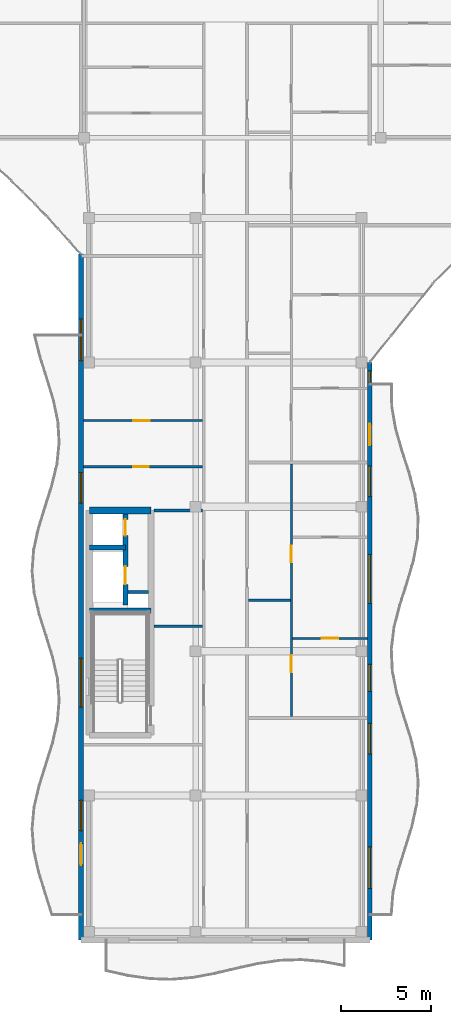
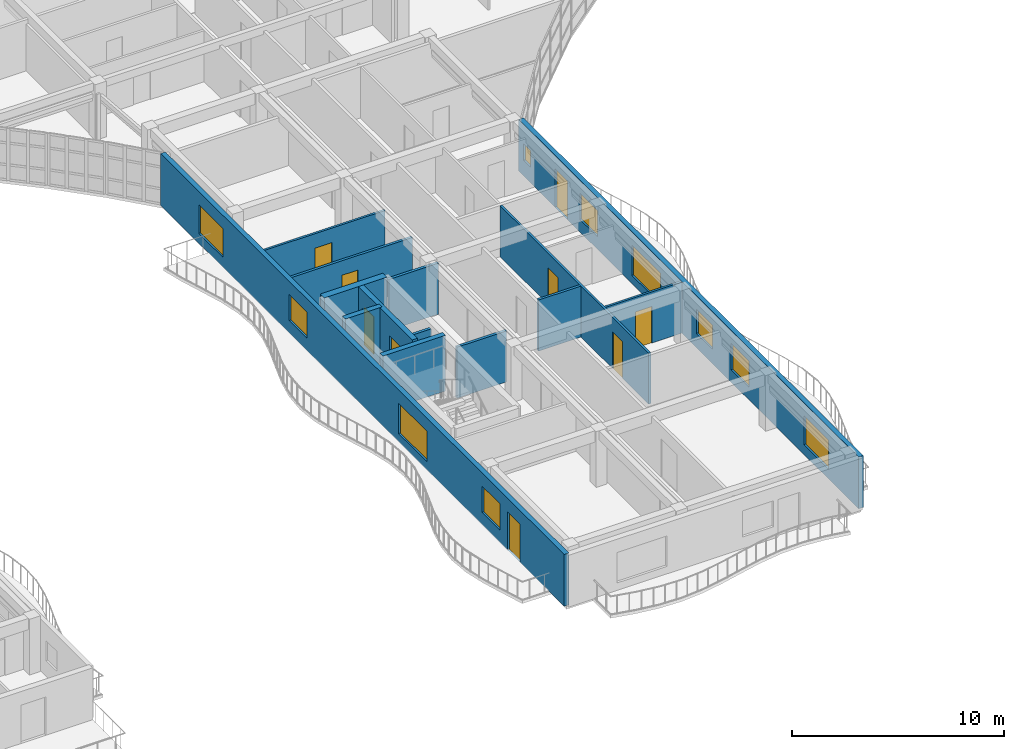
# One storey, part 31 of 72: 14 walls, 10 windows, 9 doors, 19 openings.
"""IFC4 building model written with IfcOpenShell, lengths in metres."""

from ifc_helpers import new_model, si_unit, direction, frame, frame_2d, origin, place, context, subcontext, project, spatial, rectangle, extrude, material, layer, layer_set, type_object, element, fill, save


model = new_model("IFC4")

# Units and contexts
model_context = context("Model", 3, precision=1e-05, world=origin(), true_north=direction((0.0, 1.0)))
body_context = subcontext(model_context, "Body", "Model", "MODEL_VIEW")
ifc_project = project(units=[si_unit("LENGTHUNIT", "METRE"), si_unit("AREAUNIT", "SQUARE_METRE"), si_unit("VOLUMEUNIT", "CUBIC_METRE"), si_unit("PLANEANGLEUNIT", "RADIAN"), si_unit("MASSUNIT", "GRAM", prefix="KILO")], contexts=[model_context])

# Site, building, storey
site_placement = place(None, origin())
site = spatial("IfcSite", under=ifc_project, at=site_placement, CompositionType="ELEMENT")
building_placement = place(site_placement, origin())
building = spatial("IfcBuilding", under=site, at=building_placement, Name="Keldmere Railside Commons", CompositionType="ELEMENT")
storey_placement = place(building_placement, frame((0.0, 0.0, 16.9599609375)))
storey = spatial("IfcBuildingStorey", under=building, at=storey_placement, Name="L05", CompositionType="ELEMENT", Elevation=16.9599609375)

# Wall, openings, doors
ifc_material_1 = material(Name="Acoustic Gypsum Board Partition", Category="gypsum")
ifc_layer_1 = layer(ifc_material_1, 0.1201171875, Name="Apartment Interior Partition 120")
ifc_layer_set_1 = layer_set([ifc_layer_1], Name="Acoustic Gypsum Board Partition")
wall_type_1 = type_object("IfcWallType", Name="Apartment Interior Partition 120", PredefinedType="PARTITIONING", material=ifc_layer_set_1)
wall_1_placement = place(storey_placement, frame((59.659912109375, 68.3798828125, 0.0), z_axis=(0.0, 0.0, 1.0), x_axis=(0.0, 1.0, 0.0)))
wall_1 = element("IfcWall", 1, at=wall_1_placement, inside=storey, type_object=wall_type_1, Name="IW-4 IW-L05-0696", PredefinedType="PARTITIONING", context=body_context, shape_type="SweptSolid", body=[
    extrude(rectangle(XDim=13.980224609375, YDim=0.1201171875, at=frame_2d((6.990234375, 0.0))), origin(), (0.0, 0.0, 1.0), 2.93505859375),
])
opening_1_placement = place(wall_1_placement, frame((2.443359375, 0.0, 0.0)))
opening_1 = element("IfcOpeningElement", 2, at=opening_1_placement, cuts=wall_1, Name="Opening ID-05", PredefinedType="OPENING", context=body_context, shape_type="SweptSolid", body=[
    extrude(rectangle(XDim=0.93994140625, YDim=2.10009765625, at=frame_2d((0.469970703125, 1.050048828125))), frame((0.0, 0.070068359375, 0.0), z_axis=(0.0, -1.0, 0.0), x_axis=(1.0, 0.0, 0.0)), (0.0, 0.0, 1.0), 0.14013671875),
])
opening_2_placement = place(wall_1_placement, frame((8.5439453125, 0.0, 0.0)))
opening_2 = element("IfcOpeningElement", 3, at=opening_2_placement, cuts=wall_1, Name="Opening ID-03", PredefinedType="OPENING", context=body_context, shape_type="SweptSolid", body=[
    extrude(rectangle(XDim=0.919921875, YDim=2.10009765625, at=frame_2d((0.4599609375, 1.050048828125))), frame((0.0, 0.070068359375, 0.0), z_axis=(0.0, -1.0, 0.0), x_axis=(1.0, 0.0, 0.0)), (0.0, 0.0, 1.0), 0.14013671875),
])
ifc_material_2 = material(Name="Engineered Oak Timber", Category="wood")
door_type_1 = type_object("IfcDoorType", Name="Accessible Bathroom Door 940x2100", OperationType="NOTDEFINED", PredefinedType="DOOR", material=ifc_material_2)
door_1_placement = place(opening_1_placement, origin())
door_1 = element("IfcDoor", 4, at=door_1_placement, inside=storey, type_object=door_type_1, Name="ID-05 IDR-L05-0579", OperationType="SINGLE_SWING_LEFT", OverallHeight=2.10009765625, OverallWidth=0.93994140625, PredefinedType="DOOR", context=body_context, shape_type="SweptSolid", body=[
    extrude(rectangle(XDim=0.93994140625, YDim=2.10009765625, at=frame_2d((0.469970703125, 1.050048828125))), frame((0.0, 0.02490234375, 0.0), z_axis=(0.0, -1.0, 0.0), x_axis=(1.0, 0.0, 0.0)), (0.0, 0.0, 1.0), 0.050048828125),
])
fill(opening_1, door_1)
door_type_2 = type_object("IfcDoorType", Name="Kitchen Pocket-Frame Swing Door 920x2100", OperationType="NOTDEFINED", PredefinedType="DOOR", material=ifc_material_2)
door_2_placement = place(opening_2_placement, origin())
door_2 = element("IfcDoor", 5, at=door_2_placement, inside=storey, type_object=door_type_2, Name="ID-03 IDR-L05-0580", OperationType="SINGLE_SWING_RIGHT", OverallHeight=2.10009765625, OverallWidth=0.919921875, PredefinedType="DOOR", context=body_context, shape_type="SweptSolid", body=[
    extrude(rectangle(XDim=0.919921875, YDim=2.10009765625, at=frame_2d((0.4599609375, 1.050048828125))), frame((0.0, 0.02490234375, 0.0), z_axis=(0.0, -1.0, 0.0), x_axis=(1.0, 0.0, 0.0)), (0.0, 0.0, 1.0), 0.050048828125),
])
fill(opening_2, door_2)

# Wall, opening, door
wall_2_placement = place(storey_placement, frame((59.719970703125, 72.7099609375, 0.0), z_axis=(0.0, 0.0, 1.0), x_axis=(1.0, 0.0, 0.0)))
wall_2 = element("IfcWall", 6, at=wall_2_placement, inside=storey, type_object=wall_type_1, Name="IW-4 IW-L05-0698", PredefinedType="PARTITIONING", context=body_context, shape_type="SweptSolid", body=[
    extrude(rectangle(XDim=4.150146484375, YDim=0.1201171875, at=frame_2d((2.0751953125, 0.0))), origin(), (0.0, 0.0, 1.0), 2.93505859375),
])
opening_3_placement = place(wall_2_placement, frame((1.625, 0.0, 0.0)))
opening_3 = element("IfcOpeningElement", 7, at=opening_3_placement, cuts=wall_2, Name="Opening ID-01", PredefinedType="OPENING", context=body_context, shape_type="SweptSolid", body=[
    extrude(rectangle(XDim=0.89990234375, YDim=2.10009765625, at=frame_2d((0.449951171875, 1.050048828125))), frame((0.0, 0.070068359375, 0.0), z_axis=(0.0, -1.0, 0.0), x_axis=(1.0, 0.0, 0.0)), (0.0, 0.0, 1.0), 0.14013671875),
])
door_type_3 = type_object("IfcDoorType", Name="Primary Bedroom Door 900x2100", OperationType="NOTDEFINED", PredefinedType="DOOR", material=ifc_material_2)
door_3_placement = place(opening_3_placement, origin())
door_3 = element("IfcDoor", 8, at=door_3_placement, inside=storey, type_object=door_type_3, Name="ID-01 IDR-L05-0582", OperationType="SINGLE_SWING_RIGHT", OverallHeight=2.10009765625, OverallWidth=0.89990234375, PredefinedType="DOOR", context=body_context, shape_type="SweptSolid", body=[
    extrude(rectangle(XDim=0.89990234375, YDim=2.10009765625, at=frame_2d((0.449951171875, 1.050048828125))), frame((0.0, 0.02490234375, 0.0), z_axis=(0.0, -1.0, 0.0), x_axis=(1.0, 0.0, 0.0)), (0.0, 0.0, 1.0), 0.050048828125),
])
fill(opening_3, door_3)

wall_3_placement = place(storey_placement, frame((48.1298828125, 84.780029296875, 0.0), z_axis=(0.0, 0.0, 1.0), x_axis=(1.0, 0.0, 0.0)))
wall_3 = element("IfcWall", 9, at=wall_3_placement, inside=storey, type_object=wall_type_1, Name="IW-4 IW-L05-0719", PredefinedType="PARTITIONING", context=body_context, shape_type="SweptSolid", body=[
    extrude(rectangle(XDim=6.590087890625, YDim=0.1201171875, at=frame_2d((3.294921875, 0.0))), origin(), (0.0, 0.0, 1.0), 2.93505859375),
])
opening_4_placement = place(wall_3_placement, frame((2.767822265625, 0.0, 0.0)))
opening_4 = element("IfcOpeningElement", 10, at=opening_4_placement, cuts=wall_3, Name="Opening ID-03", PredefinedType="OPENING", context=body_context, shape_type="SweptSolid", body=[
    extrude(rectangle(XDim=0.919921875, YDim=2.10009765625, at=frame_2d((0.4599609375, 1.050048828125))), frame((0.0, 0.070068359375, 0.0), z_axis=(0.0, -1.0, 0.0), x_axis=(1.0, 0.0, 0.0)), (0.0, 0.0, 1.0), 0.14013671875),
])
door_4_placement = place(opening_4_placement, origin())
door_4 = element("IfcDoor", 11, at=door_4_placement, inside=storey, type_object=door_type_2, Name="ID-03 IDR-L05-0609", OperationType="SINGLE_SWING_LEFT", OverallHeight=2.10009765625, OverallWidth=0.919921875, PredefinedType="DOOR", context=body_context, shape_type="SweptSolid", body=[
    extrude(rectangle(XDim=0.919921875, YDim=2.10009765625, at=frame_2d((0.4599609375, 1.050048828125))), frame((0.0, 0.02490234375, 0.0), z_axis=(0.0, -1.0, 0.0), x_axis=(1.0, 0.0, 0.0)), (0.0, 0.0, 1.0), 0.050048828125),
])
fill(opening_4, door_4)

# Walls
ifc_material_3 = material(Name="Concrete H-35 (C35/45)", Category="concrete")
ifc_layer_2 = layer(ifc_material_3, 0.280029296875, Name="Core Shear Wall 280")
ifc_layer_set_2 = layer_set([ifc_layer_2], Name="Concrete H-35 (C35/45)")
wall_type_2 = type_object("IfcWallType", Name="Core Shear Wall 280", PredefinedType="SHEAR", material=ifc_layer_set_2)
wall_4_placement = place(storey_placement, frame((48.4599609375, 74.239990234375, 0.0), z_axis=(0.0, 0.0, 1.0), x_axis=(1.0, 0.0, 0.0)))
element("IfcWall", 12, at=wall_4_placement, inside=storey, type_object=wall_type_2, Name="CSW-2 CORECM-L05-0262", PredefinedType="SHEAR", context=body_context, shape_type="SweptSolid", body=[
    extrude(rectangle(XDim=3.41015625, YDim=0.280029296875, at=frame_2d((1.705078125, 0.0))), origin(), (0.0, 0.0, 1.0), 3.199951171875),
])
wall_5_placement = place(storey_placement, frame((48.4599609375, 77.75, 0.0), z_axis=(0.0, 0.0, 1.0), x_axis=(1.0, 0.0, 0.0)))
element("IfcWall", 13, at=wall_5_placement, inside=storey, type_object=wall_type_2, Name="CSW-2 CORECL-L05-0263", PredefinedType="SHEAR", context=body_context, shape_type="SweptSolid", body=[
    extrude(rectangle(XDim=2.0, YDim=0.280029296875, at=frame_2d((1.0, 0.0))), origin(), (0.0, 0.0, 1.0), 3.199951171875),
])

# Wall, openings, doors
wall_6_placement = place(storey_placement, frame((50.4599609375, 74.550048828125, 0.0), z_axis=(0.0, 0.0, 1.0), x_axis=(0.0, 1.0, 0.0)))
wall_6 = element("IfcWall", 14, at=wall_6_placement, inside=storey, type_object=wall_type_2, Name="CSW-2 LSHC-L05-0264", PredefinedType="SHEAR", context=body_context, shape_type="SweptSolid", body=[
    extrude(rectangle(XDim=5.25, YDim=0.280029296875, at=frame_2d((2.625, 0.0))), origin(), (0.0, 0.0, 1.0), 3.199951171875),
])
opening_5_placement = place(wall_6_placement, frame((1.14990234375, 0.0, 0.0)))
opening_5 = element("IfcOpeningElement", 15, at=opening_5_placement, cuts=wall_6, Name="Opening LD-1", PredefinedType="OPENING", context=body_context, shape_type="SweptSolid", body=[
    extrude(rectangle(XDim=1.0, YDim=2.14990234375, at=frame_2d((0.5, 1.074951171875))), frame((0.0, 0.14990234375, 0.0), z_axis=(0.0, -1.0, 0.0), x_axis=(1.0, 0.0, 0.0)), (0.0, 0.0, 1.0), 0.300048828125),
])
opening_6_placement = place(wall_6_placement, frame((3.85009765625, 0.0, 0.0)))
opening_6 = element("IfcOpeningElement", 16, at=opening_6_placement, cuts=wall_6, Name="Opening LD-2", PredefinedType="OPENING", context=body_context, shape_type="SweptSolid", body=[
    extrude(rectangle(XDim=0.89990234375, YDim=2.14990234375, at=frame_2d((0.449951171875, 1.074951171875))), frame((0.0, 0.14990234375, 0.0), z_axis=(0.0, -1.0, 0.0), x_axis=(1.0, 0.0, 0.0)), (0.0, 0.0, 1.0), 0.300048828125),
])
ifc_material_4 = material(Name="Steel F-24 (S235)", Category="steel")
door_type_4 = type_object("IfcDoorType", Name="Firefighting Stretcher Lift Landing Door 1000x2150", OperationType="SLIDING_TO_LEFT", PredefinedType="DOOR", material=ifc_material_4)
door_5_placement = place(opening_5_placement, origin())
door_5 = element("IfcDoor", 17, at=door_5_placement, inside=storey, type_object=door_type_4, Name="LD-1 C L05", OperationType="SLIDING_TO_LEFT", OverallHeight=2.14990234375, OverallWidth=1.0, PredefinedType="DOOR", context=body_context, shape_type="SweptSolid", body=[
    extrude(rectangle(XDim=1.0, YDim=2.14990234375, at=frame_2d((0.5, 1.074951171875))), frame((0.0, 0.02490234375, 0.0), z_axis=(0.0, -1.0, 0.0), x_axis=(1.0, 0.0, 0.0)), (0.0, 0.0, 1.0), 0.050048828125),
])
fill(opening_5, door_5)
door_type_5 = type_object("IfcDoorType", Name="Passenger Lift Sliding Landing Door 900x2150", OperationType="SLIDING_TO_RIGHT", PredefinedType="DOOR", material=ifc_material_4)
door_6_placement = place(opening_6_placement, origin())
door_6 = element("IfcDoor", 18, at=door_6_placement, inside=storey, type_object=door_type_5, Name="LD-2 C L05", OperationType="SLIDING_TO_RIGHT", OverallHeight=2.14990234375, OverallWidth=0.89990234375, PredefinedType="DOOR", context=body_context, shape_type="SweptSolid", body=[
    extrude(rectangle(XDim=0.89990234375, YDim=2.14990234375, at=frame_2d((0.449951171875, 1.074951171875))), frame((0.0, 0.02490234375, 0.0), z_axis=(0.0, -1.0, 0.0), x_axis=(1.0, 0.0, 0.0)), (0.0, 0.0, 1.0), 0.050048828125),
])
fill(opening_6, door_6)

# Walls
ifc_material_5 = material(Name="Concrete H-40 (C40/50)", Category="concrete")
ifc_layer_3 = layer(ifc_material_5, 0.3798828125, Name="Core Shear Wall 380")
ifc_layer_set_3 = layer_set([ifc_layer_3], Name="Concrete H-40 (C40/50)")
wall_type_3 = type_object("IfcWallType", Name="Core Shear Wall 380", PredefinedType="SHEAR", material=ifc_layer_set_3)
wall_7_placement = place(storey_placement, frame((48.4599609375, 79.800048828125, 0.0), z_axis=(0.0, 0.0, 1.0), x_axis=(1.0, 0.0, 0.0)))
element("IfcWall", 19, at=wall_7_placement, inside=storey, type_object=wall_type_3, Name="CW-CORE CORECN-L05-0259", PredefinedType="SHEAR", context=body_context, shape_type="SweptSolid", body=[
    extrude(rectangle(XDim=3.41015625, YDim=0.3798828125, at=frame_2d((1.705078125, 0.0))), origin(), (0.0, 0.0, 1.0), 3.199951171875),
])
ifc_layer_4 = layer(ifc_material_1, 0.14990234375, Name="Lobby Rated Partition 150")
ifc_layer_set_4 = layer_set([ifc_layer_4], Name="Acoustic Gypsum Board Partition")
wall_type_4 = type_object("IfcWallType", Name="Lobby Rated Partition 150", PredefinedType="PARTITIONING", material=ifc_layer_set_4)
wall_8_placement = place(storey_placement, frame((50.60009765625, 75.280029296875, 0.0), z_axis=(0.0, 0.0, 1.0), x_axis=(1.0, 0.0, 0.0)))
element("IfcWall", 20, at=wall_8_placement, inside=storey, type_object=wall_type_4, Name="IW-3 RSRNC-L05-0265", PredefinedType="PARTITIONING", context=body_context, shape_type="SweptSolid", body=[
    extrude(rectangle(XDim=1.1298828125, YDim=0.14990234375, at=frame_2d((0.56494140625, 0.0))), origin(), (0.0, 0.0, 1.0), 2.949951171875),
])
for number, where, z_axis, x_axis, name in (
    (21, (52.0400390625, 73.3798828125, 0.0), (0.0, 0.0, 1.0), (1.0, 0.0, 0.0), "IW-3 IW-L05-0682"),
    (22, (52.0400390625, 79.800048828125, 0.0), (0.0, 0.0, 1.0), (1.0, 0.0, 0.0), "IW-3 IW-L05-0683"),
):
    element("IfcWall", number, at=place(storey_placement, frame(where, z_axis=z_axis, x_axis=x_axis)), inside=storey, type_object=wall_type_4, Name=name, PredefinedType="PARTITIONING", context=body_context, shape_type="SweptSolid", body=[
        extrude(rectangle(XDim=2.679931640625, YDim=0.14990234375, at=frame_2d((1.33984375, 0.0))), origin(), (0.0, 0.0, 1.0), 2.93505859375),
    ])

# Wall, openings, door, windows
ifc_material_6 = material(Name="Terracotta Brick Masonry", Category="masonry")
ifc_layer_5 = layer(ifc_material_6, 0.260009765625, Name="Terracotta Cavity Wall 260")
ifc_layer_set_5 = layer_set([ifc_layer_5], Name="Terracotta Brick Masonry")
wall_type_5 = type_object("IfcWallType", Name="Terracotta Cavity Wall 260", PredefinedType="SOLIDWALL", material=ifc_layer_set_5)
wall_9_placement = place(storey_placement, frame((64.0, 88.0, 0.0), z_axis=(0.0, 0.0, 1.0), x_axis=(0.0, -1.0, 0.0)))
wall_9 = element("IfcWall", 23, at=wall_9_placement, inside=storey, type_object=wall_type_5, Name="EW-1 EXTC-L05-0363", PredefinedType="SOLIDWALL", context=body_context, shape_type="SweptSolid", body=[
    extrude(rectangle(XDim=32.0, YDim=0.260009765625, at=frame_2d((16.0, 0.0))), origin(), (0.0, 0.0, 1.0), 2.97998046875),
])
opening_7_placement = place(wall_9_placement, frame((3.39990234375, 0.0, 0.0)))
opening_7 = element("IfcOpeningElement", 24, at=opening_7_placement, cuts=wall_9, Name="Opening BD-01", PredefinedType="OPENING", context=body_context, shape_type="SweptSolid", body=[
    extrude(rectangle(XDim=1.199951171875, YDim=2.199951171875, at=frame_2d((0.60009765625, 1.10009765625))), frame((0.0, 0.139892578125, 0.0), z_axis=(0.0, -1.0, 0.0), x_axis=(1.0, 0.0, 0.0)), (0.0, 0.0, 1.0), 0.280029296875),
])
opening_8_placement = place(wall_9_placement, frame((5.75, 0.0, 0.719970703125)))
opening_8 = element("IfcOpeningElement", 25, at=opening_8_placement, cuts=wall_9, Name="Opening WN-40", PredefinedType="OPENING", context=body_context, shape_type="SweptSolid", body=[
    extrude(rectangle(XDim=1.679931640625, YDim=1.5, at=frame_2d((0.83984375, 0.75))), frame((0.0, 0.139892578125, 0.0), z_axis=(0.0, -1.0, 0.0), x_axis=(1.0, 0.0, 0.0)), (0.0, 0.0, 1.0), 0.280029296875),
])
opening_9_placement = place(wall_9_placement, frame((10.64990234375, 0.0, 0.469970703125)))
opening_9 = element("IfcOpeningElement", 26, at=opening_9_placement, cuts=wall_9, Name="Opening WN-19", PredefinedType="OPENING", context=body_context, shape_type="SweptSolid", body=[
    extrude(rectangle(XDim=2.699951171875, YDim=1.75, at=frame_2d((1.35009765625, 0.875))), frame((0.0, 0.139892578125, 0.0), z_axis=(0.0, -1.0, 0.0), x_axis=(1.0, 0.0, 0.0)), (0.0, 0.0, 1.0), 0.280029296875),
])
opening_10_placement = place(wall_9_placement, frame((20.0, 0.0, 0.719970703125)))
opening_10 = element("IfcOpeningElement", 27, at=opening_10_placement, cuts=wall_9, Name="Opening WN-20", PredefinedType="OPENING", context=body_context, shape_type="SweptSolid", body=[
    extrude(rectangle(XDim=1.699951171875, YDim=1.5, at=frame_2d((0.85009765625, 0.75))), frame((0.0, 0.139892578125, 0.0), z_axis=(0.0, -1.0, 0.0), x_axis=(1.0, 0.0, 0.0)), (0.0, 0.0, 1.0), 0.280029296875),
])
opening_11_placement = place(wall_9_placement, frame((26.85009765625, 0.0, 0.570068359375)))
opening_11 = element("IfcOpeningElement", 28, at=opening_11_placement, cuts=wall_9, Name="Opening WN-23", PredefinedType="OPENING", context=body_context, shape_type="SweptSolid", body=[
    extrude(rectangle(XDim=2.300048828125, YDim=1.64990234375, at=frame_2d((1.14990234375, 0.824951171875))), frame((0.0, 0.139892578125, 0.0), z_axis=(0.0, -1.0, 0.0), x_axis=(1.0, 0.0, 0.0)), (0.0, 0.0, 1.0), 0.280029296875),
])
opening_12_placement = place(wall_9_placement, frame((16.72998046875, 0.0, 0.820068359375)))
opening_12 = element("IfcOpeningElement", 29, at=opening_12_placement, cuts=wall_9, Name="Opening WN-06", PredefinedType="OPENING", context=body_context, shape_type="SweptSolid", body=[
    extrude(rectangle(XDim=1.5, YDim=1.39990234375, at=frame_2d((0.75, 0.699951171875))), frame((0.0, 0.139892578125, 0.0), z_axis=(0.0, -1.0, 0.0), x_axis=(1.0, 0.0, 0.0)), (0.0, 0.0, 1.0), 0.280029296875),
])
opening_13_placement = place(wall_9_placement, frame((0.4599609375, 0.0, 0.89990234375)))
opening_13 = element("IfcOpeningElement", 30, at=opening_13_placement, cuts=wall_9, Name="Opening WN-15", PredefinedType="OPENING", context=body_context, shape_type="SweptSolid", body=[
    extrude(rectangle(XDim=0.64990234375, YDim=0.949951171875, at=frame_2d((0.324951171875, 0.47509765625))), frame((0.0, 0.139892578125, 0.0), z_axis=(0.0, -1.0, 0.0), x_axis=(1.0, 0.0, 0.0)), (0.0, 0.0, 1.0), 0.280029296875),
])
ifc_material_7 = material(Name="Thermally Broken Aluminium", Category="aluminium")
door_type_6 = type_object("IfcDoorType", Name="Apartment Living Wave-Balcony Glazed Door 1200x2200", OperationType="NOTDEFINED", PredefinedType="DOOR", material=ifc_material_7)
door_7_placement = place(opening_7_placement, origin())
door_7 = element("IfcDoor", 31, at=door_7_placement, inside=storey, type_object=door_type_6, Name="BD-01 DR-L05-0086", OperationType="SINGLE_SWING_RIGHT", OverallHeight=2.199951171875, OverallWidth=1.199951171875, PredefinedType="DOOR", context=body_context, shape_type="SweptSolid", body=[
    extrude(rectangle(XDim=1.199951171875, YDim=2.199951171875, at=frame_2d((0.60009765625, 1.10009765625))), frame((0.0, 0.02490234375, 0.0), z_axis=(0.0, -1.0, 0.0), x_axis=(1.0, 0.0, 0.0)), (0.0, 0.0, 1.0), 0.050048828125),
])
fill(opening_7, door_7)
ifc_material_8 = material(Name="Low-E Insulated Double Glazing", Category="glass")
window_type_1 = type_object("IfcWindowType", Name="Exterior Bathroom Frosted Window 650x950", PartitioningType="SINGLE_PANEL", PredefinedType="WINDOW", material=ifc_material_8)
window_1_placement = place(opening_13_placement, origin())
window_1 = element("IfcWindow", 32, at=window_1_placement, inside=storey, type_object=window_type_1, Name="WN-15 WIN-L05-9042", OverallHeight=0.949951171875, OverallWidth=0.64990234375, PartitioningType="SINGLE_PANEL", PredefinedType="WINDOW", context=body_context, shape_type="SweptSolid", body=[
    extrude(rectangle(XDim=0.64990234375, YDim=0.949951171875, at=frame_2d((0.324951171875, 0.47509765625))), frame((0.0, 0.030029296875, 0.0), z_axis=(0.0, -1.0, 0.0), x_axis=(1.0, 0.0, 0.0)), (0.0, 0.0, 1.0), 0.06005859375),
])
fill(opening_13, window_1)
window_type_2 = type_object("IfcWindowType", Name="Primary Bedroom North Window 1500x1400", PartitioningType="SINGLE_PANEL", PredefinedType="WINDOW", material=ifc_material_8)
window_2_placement = place(opening_12_placement, origin())
window_2 = element("IfcWindow", 33, at=window_2_placement, inside=storey, type_object=window_type_2, Name="WN-06 WIN-L05-9041", OverallHeight=1.39990234375, OverallWidth=1.5, PartitioningType="SINGLE_PANEL", PredefinedType="WINDOW", context=body_context, shape_type="SweptSolid", body=[
    extrude(rectangle(XDim=1.5, YDim=1.39990234375, at=frame_2d((0.75, 0.699951171875))), frame((0.0, 0.030029296875, 0.0), z_axis=(0.0, -1.0, 0.0), x_axis=(1.0, 0.0, 0.0)), (0.0, 0.0, 1.0), 0.06005859375),
])
fill(opening_12, window_2)
window_type_3 = type_object("IfcWindowType", Name="Resident Lounge Panorama Window 2700x1750", PartitioningType="SINGLE_PANEL", PredefinedType="WINDOW", material=ifc_material_8)
window_3_placement = place(opening_9_placement, origin())
window_3 = element("IfcWindow", 34, at=window_3_placement, inside=storey, type_object=window_type_3, Name="WN-19 WIN-L05-0251", OverallHeight=1.75, OverallWidth=2.699951171875, PartitioningType="SINGLE_PANEL", PredefinedType="WINDOW", context=body_context, shape_type="SweptSolid", body=[
    extrude(rectangle(XDim=2.699951171875, YDim=1.75, at=frame_2d((1.35009765625, 0.875))), frame((0.0, 0.030029296875, 0.0), z_axis=(0.0, -1.0, 0.0), x_axis=(1.0, 0.0, 0.0)), (0.0, 0.0, 1.0), 0.06005859375),
])
fill(opening_9, window_3)
window_type_4 = type_object("IfcWindowType", Name="Setback Terrace Penthouse Window 2300x1650", PartitioningType="SINGLE_PANEL", PredefinedType="WINDOW", material=ifc_material_8)
window_4_placement = place(opening_11_placement, origin())
window_4 = element("IfcWindow", 35, at=window_4_placement, inside=storey, type_object=window_type_4, Name="WN-23 WIN-L05-0253", OverallHeight=1.64990234375, OverallWidth=2.300048828125, PartitioningType="SINGLE_PANEL", PredefinedType="WINDOW", context=body_context, shape_type="SweptSolid", body=[
    extrude(rectangle(XDim=2.300048828125, YDim=1.64990234375, at=frame_2d((1.14990234375, 0.824951171875))), frame((0.0, 0.030029296875, 0.0), z_axis=(0.0, -1.0, 0.0), x_axis=(1.0, 0.0, 0.0)), (0.0, 0.0, 1.0), 0.06005859375),
])
fill(opening_11, window_4)
window_type_5 = type_object("IfcWindowType", Name="Study Room Quiet Casement Window 1700x1500", PartitioningType="SINGLE_PANEL", PredefinedType="WINDOW", material=ifc_material_8)
window_5_placement = place(opening_10_placement, origin())
window_5 = element("IfcWindow", 36, at=window_5_placement, inside=storey, type_object=window_type_5, Name="WN-20 WIN-L05-0252", OverallHeight=1.5, OverallWidth=1.699951171875, PartitioningType="SINGLE_PANEL", PredefinedType="WINDOW", context=body_context, shape_type="SweptSolid", body=[
    extrude(rectangle(XDim=1.699951171875, YDim=1.5, at=frame_2d((0.85009765625, 0.75))), frame((0.0, 0.030029296875, 0.0), z_axis=(0.0, -1.0, 0.0), x_axis=(1.0, 0.0, 0.0)), (0.0, 0.0, 1.0), 0.06005859375),
])
fill(opening_10, window_5)
window_type_6 = type_object("IfcWindowType", Name="Two-Bed Dining Casement Window 1680x1500", PartitioningType="SINGLE_PANEL", PredefinedType="WINDOW", material=ifc_material_8)
window_6_placement = place(opening_8_placement, origin())
window_6 = element("IfcWindow", 37, at=window_6_placement, inside=storey, type_object=window_type_6, Name="WN-40 WIN-L05-0250", OverallHeight=1.5, OverallWidth=1.679931640625, PartitioningType="SINGLE_PANEL", PredefinedType="WINDOW", context=body_context, shape_type="SweptSolid", body=[
    extrude(rectangle(XDim=1.679931640625, YDim=1.5, at=frame_2d((0.83984375, 0.75))), frame((0.0, 0.030029296875, 0.0), z_axis=(0.0, -1.0, 0.0), x_axis=(1.0, 0.0, 0.0)), (0.0, 0.0, 1.0), 0.06005859375),
])
fill(opening_8, window_6)

wall_10_placement = place(storey_placement, frame((48.0, 56.0, 0.0), z_axis=(0.0, 0.0, 1.0), x_axis=(0.0, 1.0, 0.0)))
wall_10 = element("IfcWall", 38, at=wall_10_placement, inside=storey, type_object=wall_type_5, Name="EW-1 EXTC-L05-0369", PredefinedType="SOLIDWALL", context=body_context, shape_type="SweptSolid", body=[
    extrude(rectangle(XDim=38.0, YDim=0.260009765625, at=frame_2d((19.0, 0.0))), origin(), (0.0, 0.0, 1.0), 2.97998046875),
])
opening_14_placement = place(wall_10_placement, frame((4.14990234375, 0.0, 0.0)))
opening_14 = element("IfcOpeningElement", 39, at=opening_14_placement, cuts=wall_10, Name="Opening BD-01", PredefinedType="OPENING", context=body_context, shape_type="SweptSolid", body=[
    extrude(rectangle(XDim=1.199951171875, YDim=2.199951171875, at=frame_2d((0.60009765625, 1.10009765625))), frame((0.0, 0.139892578125, 0.0), z_axis=(0.0, -1.0, 0.0), x_axis=(1.0, 0.0, 0.0)), (0.0, 0.0, 1.0), 0.280029296875),
])
opening_15_placement = place(wall_10_placement, frame((6.050048828125, 0.0, 0.719970703125)))
opening_15 = element("IfcOpeningElement", 40, at=opening_15_placement, cuts=wall_10, Name="Opening WN-40", PredefinedType="OPENING", context=body_context, shape_type="SweptSolid", body=[
    extrude(rectangle(XDim=1.679931640625, YDim=1.5, at=frame_2d((0.83984375, 0.75))), frame((0.0, 0.139892578125, 0.0), z_axis=(0.0, -1.0, 0.0), x_axis=(1.0, 0.0, 0.0)), (0.0, 0.0, 1.0), 0.280029296875),
])
opening_16_placement = place(wall_10_placement, frame((12.89990234375, 0.0, 0.469970703125)))
opening_16 = element("IfcOpeningElement", 41, at=opening_16_placement, cuts=wall_10, Name="Opening WN-19", PredefinedType="OPENING", context=body_context, shape_type="SweptSolid", body=[
    extrude(rectangle(XDim=2.699951171875, YDim=1.75, at=frame_2d((1.35009765625, 0.875))), frame((0.0, 0.139892578125, 0.0), z_axis=(0.0, -1.0, 0.0), x_axis=(1.0, 0.0, 0.0)), (0.0, 0.0, 1.0), 0.280029296875),
])
opening_17_placement = place(wall_10_placement, frame((24.199951171875, 0.0, 0.719970703125)))
opening_17 = element("IfcOpeningElement", 42, at=opening_17_placement, cuts=wall_10, Name="Opening WN-20", PredefinedType="OPENING", context=body_context, shape_type="SweptSolid", body=[
    extrude(rectangle(XDim=1.699951171875, YDim=1.5, at=frame_2d((0.85009765625, 0.75))), frame((0.0, 0.139892578125, 0.0), z_axis=(0.0, -1.0, 0.0), x_axis=(1.0, 0.0, 0.0)), (0.0, 0.0, 1.0), 0.280029296875),
])
opening_18_placement = place(wall_10_placement, frame((32.10009765625, 0.0, 0.570068359375)))
opening_18 = element("IfcOpeningElement", 43, at=opening_18_placement, cuts=wall_10, Name="Opening WN-23", PredefinedType="OPENING", context=body_context, shape_type="SweptSolid", body=[
    extrude(rectangle(XDim=2.300048828125, YDim=1.64990234375, at=frame_2d((1.14990234375, 0.824951171875))), frame((0.0, 0.139892578125, 0.0), z_axis=(0.0, -1.0, 0.0), x_axis=(1.0, 0.0, 0.0)), (0.0, 0.0, 1.0), 0.280029296875),
])
door_8_placement = place(opening_14_placement, origin())
door_8 = element("IfcDoor", 44, at=door_8_placement, inside=storey, type_object=door_type_6, Name="BD-01 DR-L05-0092", OperationType="SINGLE_SWING_RIGHT", OverallHeight=2.199951171875, OverallWidth=1.199951171875, PredefinedType="DOOR", context=body_context, shape_type="SweptSolid", body=[
    extrude(rectangle(XDim=1.199951171875, YDim=2.199951171875, at=frame_2d((0.60009765625, 1.10009765625))), frame((0.0, 0.02490234375, 0.0), z_axis=(0.0, -1.0, 0.0), x_axis=(1.0, 0.0, 0.0)), (0.0, 0.0, 1.0), 0.050048828125),
])
fill(opening_14, door_8)
window_7_placement = place(opening_16_placement, origin())
window_7 = element("IfcWindow", 45, at=window_7_placement, inside=storey, type_object=window_type_3, Name="WN-19 WIN-L05-0266", OverallHeight=1.75, OverallWidth=2.699951171875, PartitioningType="SINGLE_PANEL", PredefinedType="WINDOW", context=body_context, shape_type="SweptSolid", body=[
    extrude(rectangle(XDim=2.699951171875, YDim=1.75, at=frame_2d((1.35009765625, 0.875))), frame((0.0, 0.030029296875, 0.0), z_axis=(0.0, -1.0, 0.0), x_axis=(1.0, 0.0, 0.0)), (0.0, 0.0, 1.0), 0.06005859375),
])
fill(opening_16, window_7)
window_8_placement = place(opening_18_placement, origin())
window_8 = element("IfcWindow", 46, at=window_8_placement, inside=storey, type_object=window_type_4, Name="WN-23 WIN-L05-0268", OverallHeight=1.64990234375, OverallWidth=2.300048828125, PartitioningType="SINGLE_PANEL", PredefinedType="WINDOW", context=body_context, shape_type="SweptSolid", body=[
    extrude(rectangle(XDim=2.300048828125, YDim=1.64990234375, at=frame_2d((1.14990234375, 0.824951171875))), frame((0.0, 0.030029296875, 0.0), z_axis=(0.0, -1.0, 0.0), x_axis=(1.0, 0.0, 0.0)), (0.0, 0.0, 1.0), 0.06005859375),
])
fill(opening_18, window_8)
window_9_placement = place(opening_17_placement, origin())
window_9 = element("IfcWindow", 47, at=window_9_placement, inside=storey, type_object=window_type_5, Name="WN-20 WIN-L05-0267", OverallHeight=1.5, OverallWidth=1.699951171875, PartitioningType="SINGLE_PANEL", PredefinedType="WINDOW", context=body_context, shape_type="SweptSolid", body=[
    extrude(rectangle(XDim=1.699951171875, YDim=1.5, at=frame_2d((0.85009765625, 0.75))), frame((0.0, 0.030029296875, 0.0), z_axis=(0.0, -1.0, 0.0), x_axis=(1.0, 0.0, 0.0)), (0.0, 0.0, 1.0), 0.06005859375),
])
fill(opening_17, window_9)
window_10_placement = place(opening_15_placement, origin())
window_10 = element("IfcWindow", 48, at=window_10_placement, inside=storey, type_object=window_type_6, Name="WN-40 WIN-L05-0265", OverallHeight=1.5, OverallWidth=1.679931640625, PartitioningType="SINGLE_PANEL", PredefinedType="WINDOW", context=body_context, shape_type="SweptSolid", body=[
    extrude(rectangle(XDim=1.679931640625, YDim=1.5, at=frame_2d((0.83984375, 0.75))), frame((0.0, 0.030029296875, 0.0), z_axis=(0.0, -1.0, 0.0), x_axis=(1.0, 0.0, 0.0)), (0.0, 0.0, 1.0), 0.06005859375),
])
fill(opening_15, window_10)

# Wall
ifc_layer_6 = layer(ifc_material_1, 0.139892578125, Name="Wet-Room Sanitary Partition 140")
ifc_layer_set_6 = layer_set([ifc_layer_6], Name="Acoustic Gypsum Board Partition")
wall_type_6 = type_object("IfcWallType", Name="Wet-Room Sanitary Partition 140", PredefinedType="PARTITIONING", material=ifc_layer_set_6)
wall_11_placement = place(storey_placement, frame((57.280029296875, 74.81005859375, 0.0), z_axis=(0.0, 0.0, 1.0), x_axis=(1.0, 0.0, 0.0)))
element("IfcWall", 49, at=wall_11_placement, inside=storey, type_object=wall_type_6, Name="IW-5 IW-L05-0697", PredefinedType="PARTITIONING", context=body_context, shape_type="SweptSolid", body=[
    extrude(rectangle(XDim=2.320068359375, YDim=0.139892578125, at=frame_2d((1.16015625, 0.0))), origin(), (0.0, 0.0, 1.0), 2.93505859375),
])

# Wall, opening, door
wall_12_placement = place(storey_placement, frame((48.1298828125, 82.22998046875, 0.0), z_axis=(0.0, 0.0, 1.0), x_axis=(1.0, 0.0, 0.0)))
wall_12 = element("IfcWall", 50, at=wall_12_placement, inside=storey, type_object=wall_type_6, Name="IW-5 IW-L05-0718", PredefinedType="PARTITIONING", context=body_context, shape_type="SweptSolid", body=[
    extrude(rectangle(XDim=6.590087890625, YDim=0.139892578125, at=frame_2d((3.294921875, 0.0))), origin(), (0.0, 0.0, 1.0), 2.93505859375),
])
opening_19_placement = place(wall_12_placement, frame((2.767822265625, 0.0, 0.0)))
opening_19 = element("IfcOpeningElement", 51, at=opening_19_placement, cuts=wall_12, Name="Opening ID-04", PredefinedType="OPENING", context=body_context, shape_type="SweptSolid", body=[
    extrude(rectangle(XDim=0.860107421875, YDim=2.10009765625, at=frame_2d((0.43017578125, 1.050048828125))), frame((0.0, 0.079833984375, 0.0), z_axis=(0.0, -1.0, 0.0), x_axis=(1.0, 0.0, 0.0)), (0.0, 0.0, 1.0), 0.159912109375),
])
door_type_7 = type_object("IfcDoorType", Name="Apartment Bathroom Door 860x2100", OperationType="NOTDEFINED", PredefinedType="DOOR", material=ifc_material_2)
door_9_placement = place(opening_19_placement, origin())
door_9 = element("IfcDoor", 52, at=door_9_placement, inside=storey, type_object=door_type_7, Name="ID-04 IDR-L05-0608", OperationType="SINGLE_SWING_RIGHT", OverallHeight=2.10009765625, OverallWidth=0.860107421875, PredefinedType="DOOR", context=body_context, shape_type="SweptSolid", body=[
    extrude(rectangle(XDim=0.860107421875, YDim=2.10009765625, at=frame_2d((0.43017578125, 1.050048828125))), frame((0.0, 0.02490234375, 0.0), z_axis=(0.0, -1.0, 0.0), x_axis=(1.0, 0.0, 0.0)), (0.0, 0.0, 1.0), 0.050048828125),
])
fill(opening_19, door_9)

save(model, "model.ifc")
